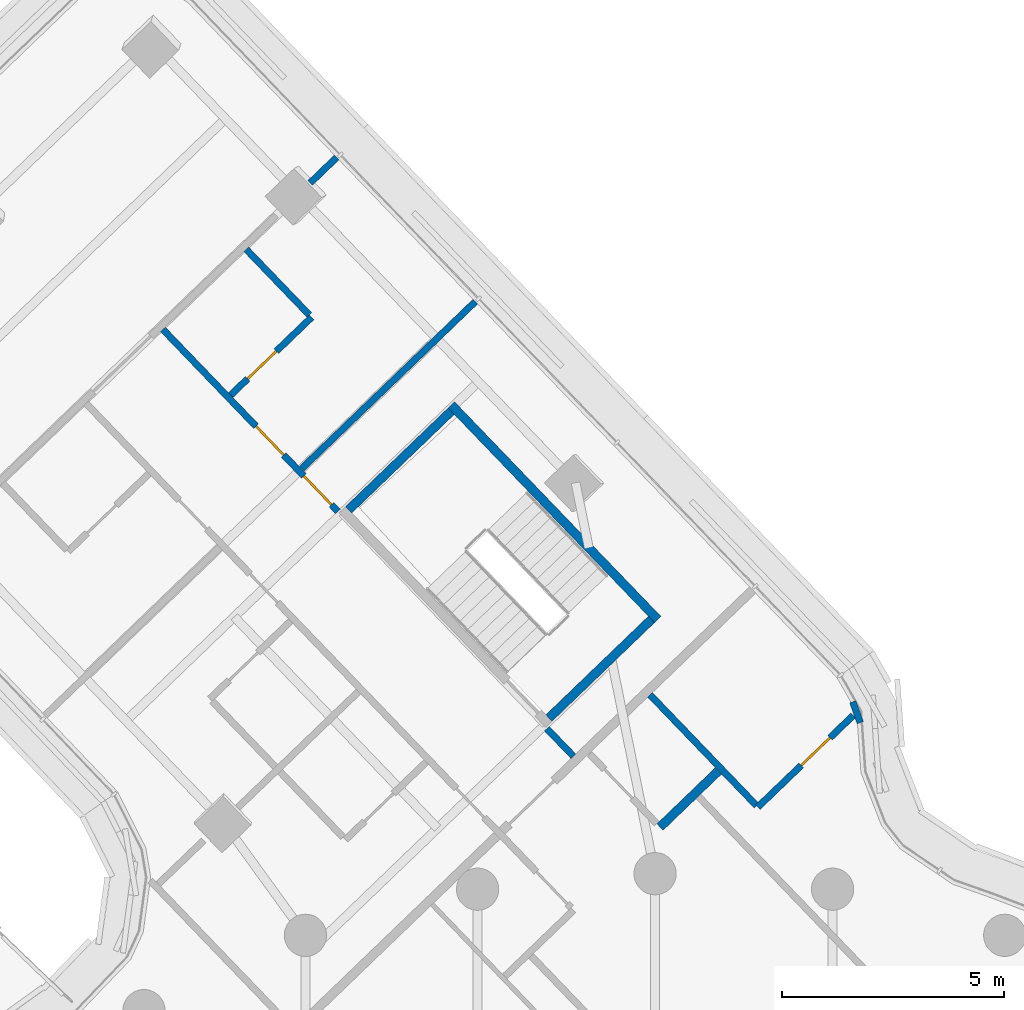
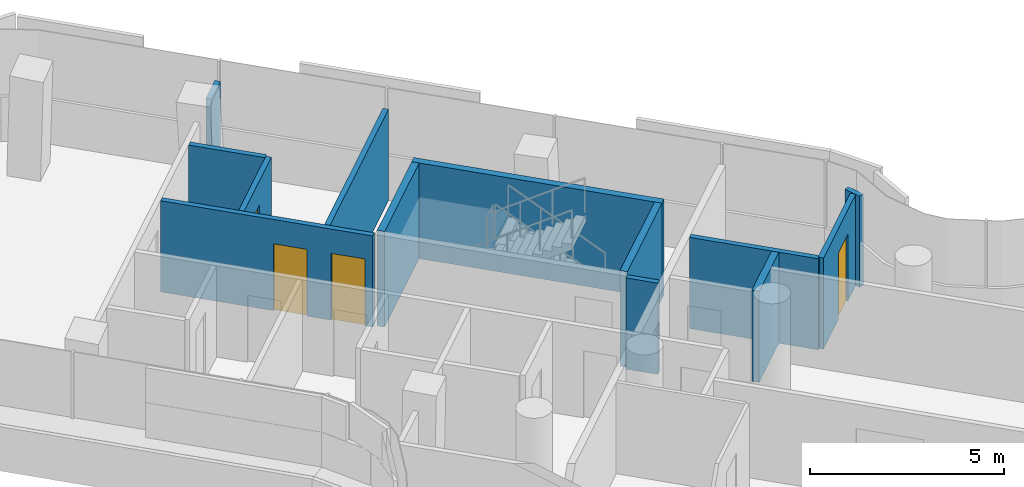
# One storey, part 25 of 34: 13 walls, 4 doors, 4 openings.
"""IFC4 building model written with IfcOpenShell, lengths in metres."""

from ifc_helpers import new_model, si_unit, direction, frame, frame_2d, origin, place, context, subcontext, project, spatial, polyline, rectangle, outline, extrude, material, layer, layer_set, type_object, element, fill, save


model = new_model("IFC4")

# Units and contexts
model_context = context("Model", 3, precision=1e-05, world=origin(), true_north=direction((0.0, 1.0)))
body_context = subcontext(model_context, "Body", "Model", "MODEL_VIEW")
ifc_project = project(units=[si_unit("LENGTHUNIT", "METRE"), si_unit("AREAUNIT", "SQUARE_METRE"), si_unit("VOLUMEUNIT", "CUBIC_METRE"), si_unit("PLANEANGLEUNIT", "RADIAN"), si_unit("MASSUNIT", "GRAM", prefix="KILO")], contexts=[model_context])

# Site, building, storey
site_placement = place(None, origin())
site = spatial("IfcSite", under=ifc_project, at=site_placement, CompositionType="ELEMENT")
building_placement = place(site_placement, origin())
building = spatial("IfcBuilding", under=site, at=building_placement, Name="Tamarind Cross Interchange Tower", CompositionType="ELEMENT")
storey_placement = place(building_placement, frame((0.0, 0.0, 193.300048828125)))
storey = spatial("IfcBuildingStorey", under=building, at=storey_placement, Name="L48", CompositionType="ELEMENT", Elevation=193.300048828125)

# Wall, openings, doors
ifc_material_1 = material(Name="Gypsum board partition on steel studs", Category="steel")
ifc_layer_1 = layer(ifc_material_1, 0.14990234375)
ifc_layer_set_1 = layer_set([ifc_layer_1], Name="Gypsum board partition on steel studs")
wall_type_1 = type_object("IfcWallType", Name="Partition 150 mm EI 120", PredefinedType="PARTITIONING", material=ifc_layer_set_1)
wall_1_placement = place(storey_placement, frame((-11.071533203125, 35.243408203125, 0.0), z_axis=(0.0, 0.0, 1.0), x_axis=(0.693174000189, -0.720770286195, 0.0)))
wall_1 = element("IfcWall", 1, at=wall_1_placement, inside=storey, type_object=wall_type_1, Name="Partition L48-025", PredefinedType="PARTITIONING", context=body_context, shape_type="SweptSolid", body=[
    extrude(rectangle(XDim=5.6796875, YDim=0.14990234375, at=frame_2d((2.83984375, 0.0))), origin(), (0.0, 0.0, 1.0), 2.864013671875),
])
opening_1_placement = place(wall_1_placement, frame((3.020263671875, 0.0, 0.0)))
opening_1 = element("IfcOpeningElement", 2, at=opening_1_placement, cuts=wall_1, Name="Opening D13", PredefinedType="OPENING", context=body_context, shape_type="SweptSolid", body=[
    extrude(rectangle(XDim=0.89990234375, YDim=2.10009765625, at=frame_2d((0.449951171875, 1.050048828125))), frame((0.0, 0.0849609375, 0.0), z_axis=(0.0, -1.0, 0.0), x_axis=(1.0, 0.0, 0.0)), (0.0, 0.0, 1.0), 0.169921875),
])
opening_2_placement = place(wall_1_placement, frame((4.569580078125, 0.0, 0.0)))
opening_2 = element("IfcOpeningElement", 3, at=opening_2_placement, cuts=wall_1, Name="Opening D14", PredefinedType="OPENING", context=body_context, shape_type="SweptSolid", body=[
    extrude(rectangle(XDim=0.89990234375, YDim=2.10009765625, at=frame_2d((0.449951171875, 1.050048828125))), frame((0.0, 0.0849609375, 0.0), z_axis=(0.0, -1.0, 0.0), x_axis=(1.0, 0.0, 0.0)), (0.0, 0.0, 1.0), 0.169921875),
])
ifc_material_2 = material(Name="Fire-resisting door set")
door_type = type_object("IfcDoorType", Name="Interior door 900 x 2100 FD60S", OperationType="SINGLE_SWING_LEFT", PredefinedType="DOOR", material=ifc_material_2)
door_1_placement = place(opening_1_placement, origin())
door_1 = element("IfcDoor", 4, at=door_1_placement, inside=storey, type_object=door_type, Name="Door D13", OperationType="SINGLE_SWING_LEFT", OverallHeight=2.10009765625, OverallWidth=0.89990234375, PredefinedType="DOOR", context=body_context, shape_type="SweptSolid", body=[
    extrude(rectangle(XDim=0.89990234375, YDim=2.10009765625, at=frame_2d((0.449951171875, 1.050048828125))), frame((0.0, 0.02490234375, 0.0), z_axis=(0.0, -1.0, 0.0), x_axis=(1.0, 0.0, 0.0)), (0.0, 0.0, 1.0), 0.050048828125),
])
fill(opening_1, door_1)
door_2_placement = place(opening_2_placement, origin())
door_2 = element("IfcDoor", 5, at=door_2_placement, inside=storey, type_object=door_type, Name="Door D14", OperationType="SINGLE_SWING_LEFT", OverallHeight=2.10009765625, OverallWidth=0.89990234375, PredefinedType="DOOR", context=body_context, shape_type="SweptSolid", body=[
    extrude(rectangle(XDim=0.89990234375, YDim=2.10009765625, at=frame_2d((0.449951171875, 1.050048828125))), frame((0.0, 0.02490234375, 0.0), z_axis=(0.0, -1.0, 0.0), x_axis=(1.0, 0.0, 0.0)), (0.0, 0.0, 1.0), 0.050048828125),
])
fill(opening_2, door_2)

# Walls
wall_2_placement = place(storey_placement, frame((-2.434326171875, 26.262939453125, 0.0), z_axis=(0.0, 0.0, 1.0), x_axis=(0.693057647536, -0.720882165955, 0.0)))
element("IfcWall", 6, at=wall_2_placement, inside=storey, type_object=wall_type_1, Name="Partition L48-026", PredefinedType="PARTITIONING", context=body_context, shape_type="SweptSolid", body=[
    extrude(rectangle(XDim=0.85986328125, YDim=0.14990234375, at=frame_2d((0.429931640625, 0.0))), origin(), (0.0, 0.0, 1.0), 2.864013671875),
])
wall_3_placement = place(storey_placement, frame((-9.197509765625, 37.04541015625, 0.0), z_axis=(0.0, 0.0, 1.0), x_axis=(0.693301988942, -0.720647175898, 0.0)))
element("IfcWall", 7, at=wall_3_placement, inside=storey, type_object=wall_type_1, Name="Partition L48-027", PredefinedType="PARTITIONING", context=body_context, shape_type="SweptSolid", body=[
    extrude(rectangle(XDim=2.04443359375, YDim=0.14990234375, at=frame_2d((1.022216796875, 0.0))), origin(), (0.0, 0.0, 1.0), 2.864013671875),
])
wall_4_placement = place(storey_placement, frame((-0.11376953125, 27.02392578125, 0.0), z_axis=(0.0, 0.0, 1.0), x_axis=(0.692997304438, -0.720940175078, 0.0)))
element("IfcWall", 8, at=wall_4_placement, inside=storey, type_object=wall_type_1, Name="Partition L48-032", PredefinedType="PARTITIONING", context=body_context, shape_type="SweptSolid", body=[
    extrude(rectangle(XDim=3.4599609375, YDim=0.14990234375, at=frame_2d((1.72998046875, 0.0))), origin(), (0.0, 0.0, 1.0), 2.864013671875),
])
wall_5_placement = place(storey_placement, frame((-7.7587890625, 38.5419921875, 0.0), z_axis=(0.0, 0.0, 1.0), x_axis=(0.72058849715, 0.693362976929, 0.0)))
element("IfcWall", 9, at=wall_5_placement, inside=storey, type_object=wall_type_1, Name="Partition L48-064", PredefinedType="PARTITIONING", context=body_context, shape_type="SweptSolid", body=[
    extrude(rectangle(XDim=0.824951171875, YDim=0.14990234375, at=frame_2d((0.41259765625, 0.0))), origin(), (0.0, 0.0, 1.0), 2.864013671875),
])
wall_6_placement = place(storey_placement, frame((-7.950439453125, 32.113525390625, 0.0), z_axis=(0.0, 0.0, 1.0), x_axis=(0.720714447992, 0.693232056714, 0.0)))
element("IfcWall", 10, at=wall_6_placement, inside=storey, type_object=wall_type_1, Name="Partition L48-067", PredefinedType="PARTITIONING", context=body_context, shape_type="SweptSolid", body=[
    extrude(rectangle(XDim=5.4189453125, YDim=0.14990234375, at=frame_2d((2.70947265625, 0.0))), origin(), (0.0, 0.0, 1.0), 2.864013671875),
])

# Wall, opening, door
wall_7_placement = place(storey_placement, frame((-9.544677734375, 33.770751953125, 0.0), z_axis=(0.0, 0.0, 1.0), x_axis=(0.720821897403, 0.693120330263, 0.0)))
wall_7 = element("IfcWall", 11, at=wall_7_placement, inside=storey, type_object=wall_type_1, Name="Partition L48-069", PredefinedType="PARTITIONING", context=body_context, shape_type="SweptSolid", body=[
    extrude(rectangle(XDim=2.5205078125, YDim=0.14990234375, at=frame_2d((1.26025390625, 0.0))), origin(), (0.0, 0.0, 1.0), 2.864013671875),
])
opening_3_placement = place(wall_7_placement, frame((0.52001953125, 0.0, 0.0)))
opening_3 = element("IfcOpeningElement", 12, at=opening_3_placement, cuts=wall_7, Name="Opening D38", PredefinedType="OPENING", context=body_context, shape_type="SweptSolid", body=[
    extrude(rectangle(XDim=0.89990234375, YDim=2.10009765625, at=frame_2d((0.449951171875, 1.050048828125))), frame((0.0, 0.0849609375, 0.0), z_axis=(0.0, -1.0, 0.0), x_axis=(1.0, 0.0, 0.0)), (0.0, 0.0, 1.0), 0.169921875),
])
door_3_placement = place(opening_3_placement, origin())
door_3 = element("IfcDoor", 13, at=door_3_placement, inside=storey, type_object=door_type, Name="Door D38", OperationType="SINGLE_SWING_RIGHT", OverallHeight=2.10009765625, OverallWidth=0.89990234375, PredefinedType="DOOR", context=body_context, shape_type="SweptSolid", body=[
    extrude(rectangle(XDim=0.89990234375, YDim=2.10009765625, at=frame_2d((0.449951171875, 1.050048828125))), frame((0.0, 0.02490234375, 0.0), z_axis=(0.0, -1.0, 0.0), x_axis=(1.0, 0.0, 0.0)), (0.0, 0.0, 1.0), 0.050048828125),
])
fill(opening_3, door_3)

wall_8_placement = place(storey_placement, frame((2.313232421875, 24.499755859375, 0.0), z_axis=(0.0, 0.0, 1.0), x_axis=(0.720888289897, 0.693051277677, 0.0)))
wall_8 = element("IfcWall", 14, at=wall_8_placement, inside=storey, type_object=wall_type_1, Name="Partition L48-076", PredefinedType="PARTITIONING", context=body_context, shape_type="SweptSolid", body=[
    extrude(rectangle(XDim=2.97314453125, YDim=0.14990234375, at=frame_2d((1.486572265625, 0.0))), origin(), (0.0, 0.0, 1.0), 2.864013671875),
])
opening_4_placement = place(wall_8_placement, frame((1.35009765625, 0.0, 0.0)))
opening_4 = element("IfcOpeningElement", 15, at=opening_4_placement, cuts=wall_8, Name="Opening D43", PredefinedType="OPENING", context=body_context, shape_type="SweptSolid", body=[
    extrude(rectangle(XDim=0.89990234375, YDim=2.10009765625, at=frame_2d((0.449951171875, 1.050048828125))), frame((0.0, 0.0849609375, 0.0), z_axis=(0.0, -1.0, 0.0), x_axis=(1.0, 0.0, 0.0)), (0.0, 0.0, 1.0), 0.169921875),
])
door_4_placement = place(opening_4_placement, origin())
door_4 = element("IfcDoor", 16, at=door_4_placement, inside=storey, type_object=door_type, Name="Door D43", OperationType="SINGLE_SWING_LEFT", OverallHeight=2.10009765625, OverallWidth=0.89990234375, PredefinedType="DOOR", context=body_context, shape_type="SweptSolid", body=[
    extrude(rectangle(XDim=0.89990234375, YDim=2.10009765625, at=frame_2d((0.449951171875, 1.050048828125))), frame((0.0, 0.02490234375, 0.0), z_axis=(0.0, -1.0, 0.0), x_axis=(1.0, 0.0, 0.0)), (0.0, 0.0, 1.0), 0.050048828125),
])
fill(opening_4, door_4)

# Walls
wall_9_placement = place(storey_placement, frame((4.61669921875, 26.397705078125, 0.0), z_axis=(0.0, 0.0, 1.0), x_axis=(-0.337387824728, 0.941365739617, 0.0)))
element("IfcWall", 17, at=wall_9_placement, inside=storey, type_object=wall_type_1, Name="Partition L48-096", PredefinedType="PARTITIONING", context=body_context, shape_type="SweptSolid", body=[
    extrude(rectangle(XDim=0.5, YDim=0.14990234375, at=frame_2d((0.25, 0.0))), origin(), (0.0, 0.0, 1.0), 2.864013671875),
])
ifc_layer_2 = layer(ifc_material_1, 0.199951171875)
ifc_layer_set_2 = layer_set([ifc_layer_2], Name="Gypsum board partition on steel studs")
wall_type_2 = type_object("IfcWallType", Name="Partition 200 mm EI 180", PredefinedType="PARTITIONING", material=ifc_layer_set_2)
wall_10_placement = place(storey_placement, frame((0.11083984375, 24.04931640625, 0.0), z_axis=(0.0, 0.0, 1.0), x_axis=(0.72079181053, 0.693151618243, 0.0)))
element("IfcWall", 18, at=wall_10_placement, inside=storey, type_object=wall_type_2, Name="Partition L48-078", PredefinedType="PARTITIONING", context=body_context, shape_type="SweptSolid", body=[
    extrude(rectangle(XDim=1.819580078125, YDim=0.199951171875, at=frame_2d((0.90966796875, 0.0))), origin(), (0.0, 0.0, 1.0), 2.864013671875),
])
ifc_material_3 = material(Name="Concrete C40", Category="concrete")
ifc_layer_3 = layer(ifc_material_3, 0.199951171875)
ifc_layer_set_3 = layer_set([ifc_layer_3], Name="Concrete C40")
wall_type_3 = type_object("IfcWallType", Name="Stair shaft wall 200 mm Concrete C40", PredefinedType="SHEAR", material=ifc_layer_set_3)
wall_11_placement = place(storey_placement, frame((0.060302734375, 28.717529296875, -0.14013671875), z_axis=(0.0, 0.0, 1.0), x_axis=(-0.693142941817, 0.720800154141, 0.0)))
element("IfcWall", 19, at=wall_11_placement, inside=storey, type_object=wall_type_3, Name="Core wall CWL-L48-ST4-C", PredefinedType="SHEAR", context=body_context, shape_type="SweptSolid", body=[
    extrude(rectangle(XDim=6.699951171875, YDim=0.199951171875, at=frame_2d((3.35009765625, 0.0))), origin(), (0.0, 0.0, 1.0), 3.004150390625),
])
wall_12_placement = place(storey_placement, frame((-0.0810546875, 28.720458984375, -0.14013671875), z_axis=(0.0, 0.0, 1.0), x_axis=(-0.720743629681, -0.693201716872, 0.0)))
element("IfcWall", 20, at=wall_12_placement, inside=storey, type_object=wall_type_3, Name="Core wall CWL-L48-ST4-CE", PredefinedType="SHEAR", context=body_context, shape_type="SweptSolid", body=[
    extrude(rectangle(XDim=3.199951171875, YDim=0.199951171875, at=frame_2d((1.60009765625, 0.0))), origin(), (0.0, 0.0, 1.0), 3.004150390625),
])
wall_13_placement = place(storey_placement, frame((0.0, 0.0, -0.14013671875)))
element("IfcWall", 21, at=wall_13_placement, inside=storey, type_object=wall_type_3, Name="Core wall CWL-L48-ST4-CF", PredefinedType="SHEAR", context=body_context, shape_type="SweptSolid", body=[
    extrude(outline(polyline([(-4.517333984375, 33.333251953125), (-4.656005859375, 33.4775390625), (-6.96240234375, 31.25927734375), (-6.82373046875, 31.115234375), (-4.517333984375, 33.333251953125)])), origin(), (0.0, 0.0, 1.0), 3.004150390625),
])

save(model, "model.ifc")
